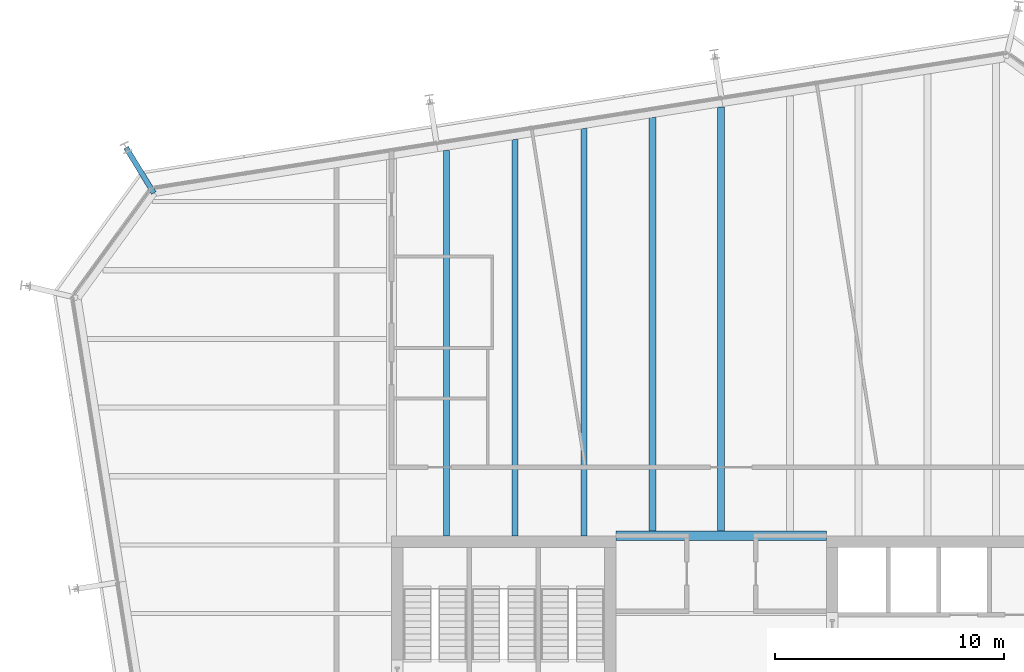
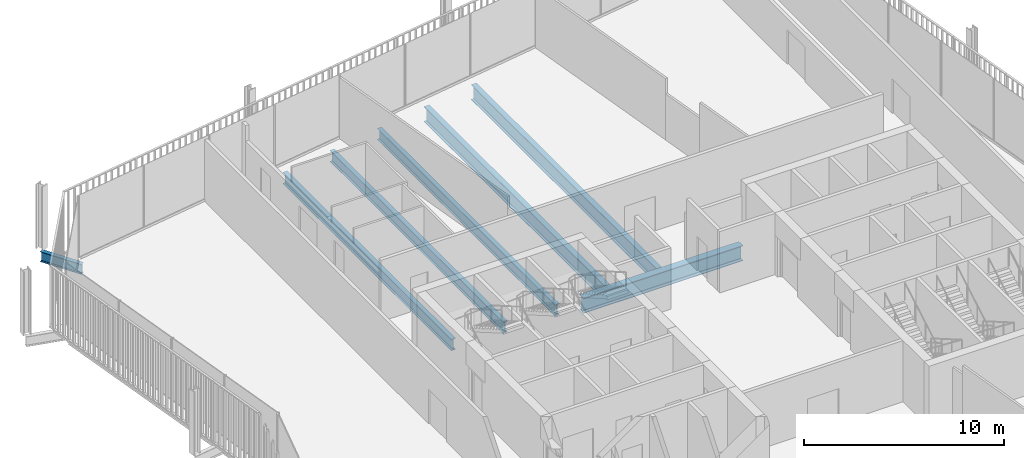
# One storey, part 11 of 20: 7 beams.
"""IFC4 building model written with IfcOpenShell, lengths in metres."""

from ifc_helpers import new_model, si_unit, direction, frame, origin, origin_2d, place, context, subcontext, project, spatial, i_section, extrude, material, material_profile, profile_set, type_object, element, save


model = new_model("IFC4")

# Units and contexts
model_context = context("Model", 3, precision=1e-05, world=origin(), true_north=direction((0.0, 1.0)))
body_context = subcontext(model_context, "Body", "Model", "MODEL_VIEW")
ifc_project = project(units=[si_unit("LENGTHUNIT", "METRE"), si_unit("AREAUNIT", "SQUARE_METRE"), si_unit("VOLUMEUNIT", "CUBIC_METRE"), si_unit("PLANEANGLEUNIT", "RADIAN"), si_unit("MASSUNIT", "GRAM", prefix="KILO")], contexts=[model_context])

# Site, building, storey
site_placement = place(None, origin())
site = spatial("IfcSite", under=ifc_project, at=site_placement, CompositionType="ELEMENT")
building_placement = place(site_placement, origin())
building = spatial("IfcBuilding", under=site, at=building_placement, Name="Millrace Tower", CompositionType="ELEMENT")
storey_placement = place(building_placement, frame((0.0, 0.0, 232.0)))
storey = spatial("IfcBuildingStorey", under=building, at=storey_placement, Name="L53", CompositionType="ELEMENT", Elevation=232.0)

# Beams
ifc_material_1 = material(Name="Steel ASTM A992 Grade 50", Category="steel")
ifc_material_profile_1 = material_profile(ifc_material_1, i_section(OverallWidth=0.256591796875, OverallDepth=0.693359375, WebThickness=0.014404296875, FlangeThickness=0.023681640625, FilletRadius=0.01513671875, at=origin_2d()))
ifc_profile_set_1 = profile_set([ifc_material_profile_1], Name="Steel ASTM A992 Grade 50")
beam_type_1 = type_object("IfcBeamType", Name="Floor beam W27x114", PredefinedType="JOIST", material=ifc_profile_set_1)
beam_1_placement = place(storey_placement, frame((-12.0, 9.39990234375, -0.506591796875), z_axis=(0.0, 1.0, 0.0), x_axis=(-1.0, 0.0, 0.0)))
element("IfcBeam", 1, at=beam_1_placement, inside=storey, type_object=beam_type_1, Name="BM-D-L53-S1-S036", PredefinedType="JOIST", context=body_context, shape_type="SweptSolid", body=[
    extrude(i_section(OverallWidth=0.256591796875, OverallDepth=0.693359375, WebThickness=0.014404296875, FlangeThickness=0.023681640625, FilletRadius=0.01513671875, at=origin_2d()), origin(), (0.0, 0.0, 1.0), 16.8369140625),
])
beam_2_placement = place(storey_placement, frame((-9.0, 9.39990234375, -0.506591796875), z_axis=(0.0, 1.0, 0.0), x_axis=(-1.0, 0.0, 0.0)))
element("IfcBeam", 2, at=beam_2_placement, inside=storey, type_object=beam_type_1, Name="BM-D-L53-S1-S038", PredefinedType="JOIST", context=body_context, shape_type="SweptSolid", body=[
    extrude(i_section(OverallWidth=0.256591796875, OverallDepth=0.693359375, WebThickness=0.014404296875, FlangeThickness=0.023681640625, FilletRadius=0.01513671875, at=origin_2d()), origin(), (0.0, 0.0, 1.0), 17.31201171875),
])
beam_3_placement = place(storey_placement, frame((-6.0, 9.39990234375, -0.506591796875), z_axis=(0.0, 1.0, 0.0), x_axis=(-1.0, 0.0, 0.0)))
element("IfcBeam", 3, at=beam_3_placement, inside=storey, type_object=beam_type_1, Name="BM-D-L53-S1-S040", PredefinedType="JOIST", context=body_context, shape_type="SweptSolid", body=[
    extrude(i_section(OverallWidth=0.256591796875, OverallDepth=0.693359375, WebThickness=0.014404296875, FlangeThickness=0.023681640625, FilletRadius=0.01513671875, at=origin_2d()), origin(), (0.0, 0.0, 1.0), 17.787109375),
])
ifc_material_2 = material(Name="Steel ASTM A992 Grade 50", Category="steel")
ifc_material_profile_2 = material_profile(ifc_material_2, i_section(OverallWidth=0.307373046875, OverallDepth=0.927001953125, WebThickness=0.01953125, FlangeThickness=0.031982421875, FilletRadius=0.01904296875, at=origin_2d()))
ifc_profile_set_2 = profile_set([ifc_material_profile_2], Name="Steel ASTM A992 Grade 50")
beam_type_2 = type_object("IfcBeamType", Name="Floor beam W36x194", PredefinedType="JOIST", material=ifc_profile_set_2)
beam_4_placement = place(storey_placement, frame((-3.0, 9.609619140625, -0.62353515625), z_axis=(0.0, 1.0, 0.0), x_axis=(-1.0, 0.0, 0.0)))
element("IfcBeam", 4, at=beam_4_placement, inside=storey, type_object=beam_type_2, Name="BM-D-L53-S1-S042", PredefinedType="JOIST", context=body_context, shape_type="SweptSolid", body=[
    extrude(i_section(OverallWidth=0.307373046875, OverallDepth=0.927001953125, WebThickness=0.01953125, FlangeThickness=0.031982421875, FilletRadius=0.01904296875, at=origin_2d()), origin(), (0.0, 0.0, 1.0), 18.052490234375),
])
beam_5_placement = place(storey_placement, frame((0.0, 9.609619140625, -0.62353515625), z_axis=(0.0, 1.0, 0.0), x_axis=(-1.0, 0.0, 0.0)))
element("IfcBeam", 5, at=beam_5_placement, inside=storey, type_object=beam_type_2, Name="BM-D-L53-S1-S044", PredefinedType="JOIST", context=body_context, shape_type="SweptSolid", body=[
    extrude(i_section(OverallWidth=0.307373046875, OverallDepth=0.927001953125, WebThickness=0.01953125, FlangeThickness=0.031982421875, FilletRadius=0.01904296875, at=origin_2d()), origin(), (0.0, 0.0, 1.0), 18.527587890625),
])
ifc_material_3 = material(Name="Steel ASTM A992 Grade 50", Category="steel")
ifc_material_profile_3 = material_profile(ifc_material_3, i_section(OverallWidth=0.419189453125, OverallDepth=0.927001953125, WebThickness=0.019287109375, FlangeThickness=0.031982421875, FilletRadius=0.024169921875, at=origin_2d()))
ifc_profile_set_3 = profile_set([ifc_material_profile_3], Name="Steel ASTM A992 Grade 50")
beam_type_3 = type_object("IfcBeamType", Name="Girder short span W36x231", PredefinedType="BEAM", material=ifc_profile_set_3)
beam_6_placement = place(storey_placement, frame((-4.60009765625, 9.39990234375, -0.62353515625), z_axis=(1.0, 0.0, 0.0), x_axis=(0.0, 1.0, 0.0)))
element("IfcBeam", 6, at=beam_6_placement, inside=storey, type_object=beam_type_3, Name="BM-D-L53-S1-G058", PredefinedType="BEAM", context=body_context, shape_type="SweptSolid", body=[
    extrude(i_section(OverallWidth=0.419189453125, OverallDepth=0.927001953125, WebThickness=0.019287109375, FlangeThickness=0.031982421875, FilletRadius=0.024169921875, at=origin_2d()), origin(), (0.0, 0.0, 1.0), 9.2001953125),
])
ifc_material_4 = material(Name="Steel ASTM A992 Grade 50", Category="steel")
ifc_material_profile_4 = material_profile(ifc_material_4, i_section(OverallWidth=0.23046875, OverallDepth=0.6171875, WebThickness=0.01318359375, FlangeThickness=0.022216796875, FilletRadius=0.012939453125, at=origin_2d()))
ifc_profile_set_4 = profile_set([ifc_material_profile_4], Name="Steel ASTM A992 Grade 50")
beam_type_4 = type_object("IfcBeamType", Name="Link beam W24x94", PredefinedType="BEAM", material=ifc_profile_set_4)
beam_7_placement = place(storey_placement, frame((-24.7783203125, 24.368408203125, -0.468505859375), z_axis=(-0.522512938711, 0.852631355792, 0.0), x_axis=(-0.852631355792, -0.522512938711, 0.0)))
element("IfcBeam", 7, at=beam_7_placement, inside=storey, type_object=beam_type_4, Name="LNK-D-L53-S1-05", PredefinedType="BEAM", context=body_context, shape_type="SweptSolid", body=[
    extrude(i_section(OverallWidth=0.23046875, OverallDepth=0.6171875, WebThickness=0.01318359375, FlangeThickness=0.022216796875, FilletRadius=0.012939453125, at=origin_2d()), origin(), (0.0, 0.0, 1.0), 2.3310546875),
])

save(model, "model.ifc")
